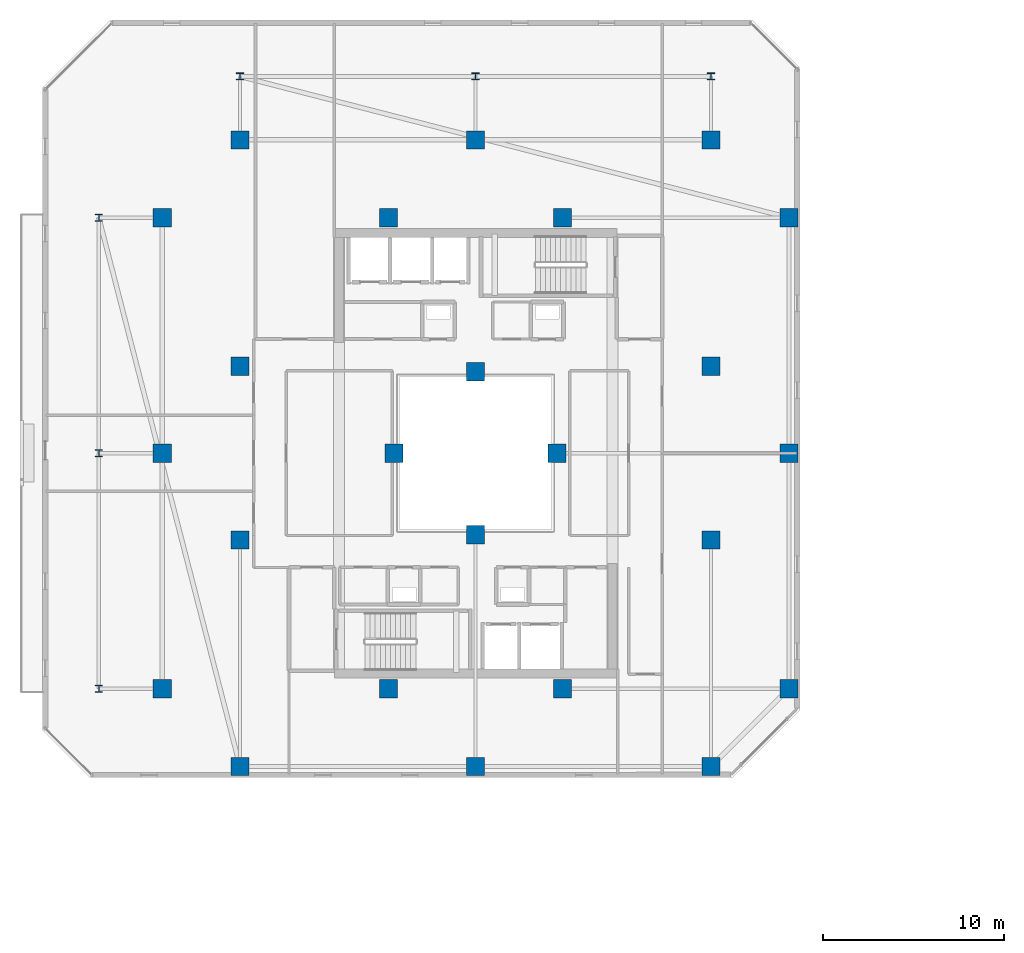
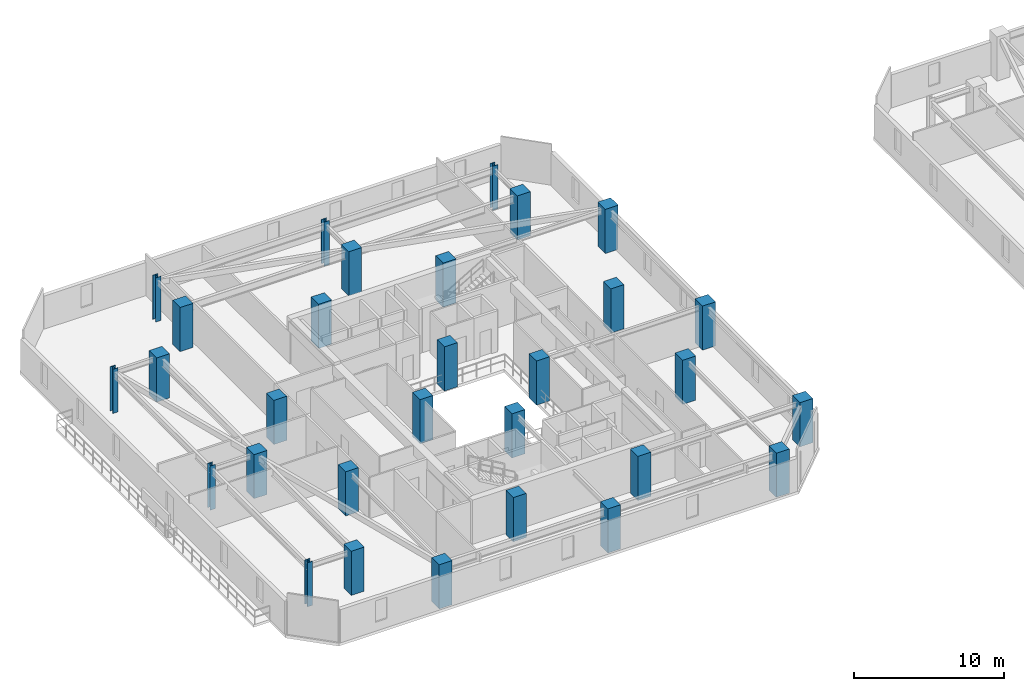
# One storey, part 1 of 33: 30 columns.
"""IFC4 building model written with IfcOpenShell, lengths in metres."""

from ifc_helpers import new_model, si_unit, direction, frame, origin, origin_2d, place, context, subcontext, project, spatial, rectangle, i_section, extrude, material, material_profile, profile_set, type_object, element, save


model = new_model("IFC4")

# Units and contexts
model_context = context("Model", 3, precision=1e-05, world=origin(), true_north=direction((0.0, 1.0)))
body_context = subcontext(model_context, "Body", "Model", "MODEL_VIEW")
ifc_project = project(units=[si_unit("LENGTHUNIT", "METRE"), si_unit("AREAUNIT", "SQUARE_METRE"), si_unit("VOLUMEUNIT", "CUBIC_METRE"), si_unit("PLANEANGLEUNIT", "RADIAN"), si_unit("MASSUNIT", "GRAM", prefix="KILO")], contexts=[model_context])

# Site, building, storey
site_placement = place(None, origin())
site = spatial("IfcSite", under=ifc_project, at=site_placement, CompositionType="ELEMENT")
building_placement = place(site_placement, origin())
building = spatial("IfcBuilding", under=site, at=building_placement, Name="Thornwick Lancets Civic Towers", CompositionType="ELEMENT")
storey_placement = place(building_placement, frame((0.0, 0.0, 207.300048828125)))
storey = spatial("IfcBuildingStorey", under=building, at=storey_placement, Name="L55", CompositionType="ELEMENT", Elevation=207.300048828125)

# Columns
ifc_material_1 = material(Name="Concrete C50/60", Category="concrete")
ifc_material_profile_1 = material_profile(ifc_material_1, rectangle(XDim=1.0, YDim=1.0, at=origin_2d()), Name="RC 1000x1000")
ifc_profile_set_1 = profile_set([ifc_material_profile_1], Name="Concrete C50/60")
column_type_1 = type_object("IfcColumnType", Name="COL_RC_1000", PredefinedType="COLUMN", material=ifc_profile_set_1)
for number, where, z_axis, x_axis, name in (
    (1, (12.5, 9.699951171875, 0.0), (0.0, 0.0, 1.0), (1.0, 0.0, 0.0), "L55 Spine Mega-Column A01"),
    (2, (25.5, 9.699951171875, 0.0), (0.0, 0.0, 1.0), (1.0, 0.0, 0.0), "L55 Spine Mega-Column A02"),
    (3, (38.5, 9.699951171875, 0.0), (0.0, 0.0, 1.0), (1.0, 0.0, 0.0), "L55 Spine Mega-Column A03"),
    (4, (42.800048828125, 14.0, 0.0), (0.0, 0.0, 1.0), (1.0, 0.0, 0.0), "L55 Spine Mega-Column A04"),
    (5, (42.800048828125, 27.0, 0.0), (0.0, 0.0, 1.0), (1.0, 0.0, 0.0), "L55 Spine Mega-Column A05"),
    (6, (42.800048828125, 40.0, 0.0), (0.0, 0.0, 1.0), (1.0, 0.0, 0.0), "L55 Spine Mega-Column A06"),
    (7, (12.5, 44.300048828125, 0.0), (0.0, 0.0, 1.0), (1.0, 0.0, 0.0), "L55 Spine Mega-Column A07"),
    (8, (25.5, 44.300048828125, 0.0), (0.0, 0.0, 1.0), (1.0, 0.0, 0.0), "L55 Spine Mega-Column A08"),
    (9, (38.5, 44.300048828125, 0.0), (0.0, 0.0, 1.0), (1.0, 0.0, 0.0), "L55 Spine Mega-Column A09"),
    (10, (8.199951171875, 14.0, 0.0), (0.0, 0.0, 1.0), (1.0, 0.0, 0.0), "L55 Spine Mega-Column A10"),
    (11, (8.199951171875, 27.0, 0.0), (0.0, 0.0, 1.0), (1.0, 0.0, 0.0), "L55 Spine Mega-Column A11"),
    (12, (8.199951171875, 40.0, 0.0), (0.0, 0.0, 1.0), (1.0, 0.0, 0.0), "L55 Spine Mega-Column A12"),
    (13, (12.5, 22.199951171875, 0.0), (0.0, 0.0, 1.0), (1.0, 0.0, 0.0), "L55 Spine Mega-Column A13"),
    (14, (38.5, 22.199951171875, 0.0), (0.0, 0.0, 1.0), (1.0, 0.0, 0.0), "L55 Spine Mega-Column A14"),
    (15, (12.5, 31.800048828125, 0.0), (0.0, 0.0, 1.0), (1.0, 0.0, 0.0), "L55 Spine Mega-Column A15"),
    (16, (38.5, 31.800048828125, 0.0), (0.0, 0.0, 1.0), (1.0, 0.0, 0.0), "L55 Spine Mega-Column A16"),
    (17, (20.699951171875, 14.0, 0.0), (0.0, 0.0, 1.0), (1.0, 0.0, 0.0), "L55 Spine Mega-Column A17"),
    (18, (30.300048828125, 14.0, 0.0), (0.0, 0.0, 1.0), (1.0, 0.0, 0.0), "L55 Spine Mega-Column A18"),
    (19, (20.699951171875, 40.0, 0.0), (0.0, 0.0, 1.0), (1.0, 0.0, 0.0), "L55 Spine Mega-Column A19"),
    (20, (30.300048828125, 40.0, 0.0), (0.0, 0.0, 1.0), (1.0, 0.0, 0.0), "L55 Spine Mega-Column A20"),
    (21, (25.5, 22.5, 0.0), (0.0, 0.0, 1.0), (1.0, 0.0, 0.0), "L55 Spine Mega-Column A21"),
    (22, (25.5, 31.5, 0.0), (0.0, 0.0, 1.0), (1.0, 0.0, 0.0), "L55 Spine Mega-Column A22"),
    (23, (21.0, 27.0, 0.0), (0.0, 0.0, 1.0), (1.0, 0.0, 0.0), "L55 Spine Mega-Column A23"),
    (24, (30.0, 27.0, 0.0), (0.0, 0.0, 1.0), (1.0, 0.0, 0.0), "L55 Spine Mega-Column A24"),
):
    element("IfcColumn", number, at=place(storey_placement, frame(where, z_axis=z_axis, x_axis=x_axis)), inside=storey, type_object=column_type_1, Name=name, PredefinedType="COLUMN", context=body_context, shape_type="SweptSolid", body=[
        extrude(rectangle(XDim=1.0, YDim=1.0, at=origin_2d()), origin(), (0.0, 0.0, 1.0), 3.599853515625),
    ])
ifc_material_2 = material(Name="Steel S355JR", Category="steel")
ifc_material_profile_2 = material_profile(ifc_material_2, i_section(OverallWidth=0.39892578125, OverallDepth=0.3935546875, WebThickness=0.022705078125, FlangeThickness=0.03662109375, FilletRadius=0.01513671875, at=origin_2d()), Name="UKC 356x406x287")
ifc_profile_set_2 = profile_set([ifc_material_profile_2], Name="Steel S355JR")
column_type_2 = type_object("IfcColumnType", Name="COL_UKC_287", PredefinedType="COLUMN", material=ifc_profile_set_2)
for number, where, z_axis, x_axis, name in (
    (25, (12.5, 47.800048828125, 0.0), (0.0, 0.0, 1.0), (1.0, 0.0, 0.0), "L55 Block Perimeter Column A07"),
    (26, (25.5, 47.800048828125, 0.0), (0.0, 0.0, 1.0), (1.0, 0.0, 0.0), "L55 Block Perimeter Column A08"),
    (27, (38.5, 47.800048828125, 0.0), (0.0, 0.0, 1.0), (1.0, 0.0, 0.0), "L55 Block Perimeter Column A09"),
    (28, (4.699951171875, 14.0, 0.0), (0.0, 0.0, 1.0), (1.0, 0.0, 0.0), "L55 Block Perimeter Column A10"),
    (29, (4.699951171875, 27.0, 0.0), (0.0, 0.0, 1.0), (1.0, 0.0, 0.0), "L55 Block Perimeter Column A11"),
    (30, (4.699951171875, 40.0, 0.0), (0.0, 0.0, 1.0), (1.0, 0.0, 0.0), "L55 Block Perimeter Column A12"),
):
    element("IfcColumn", number, at=place(storey_placement, frame(where, z_axis=z_axis, x_axis=x_axis)), inside=storey, type_object=column_type_2, Name=name, PredefinedType="COLUMN", context=body_context, shape_type="SweptSolid", body=[
        extrude(i_section(OverallWidth=0.39892578125, OverallDepth=0.3935546875, WebThickness=0.022705078125, FlangeThickness=0.03662109375, FilletRadius=0.01513671875, at=origin_2d()), origin(), (0.0, 0.0, 1.0), 3.599853515625),
    ])

save(model, "model.ifc")
